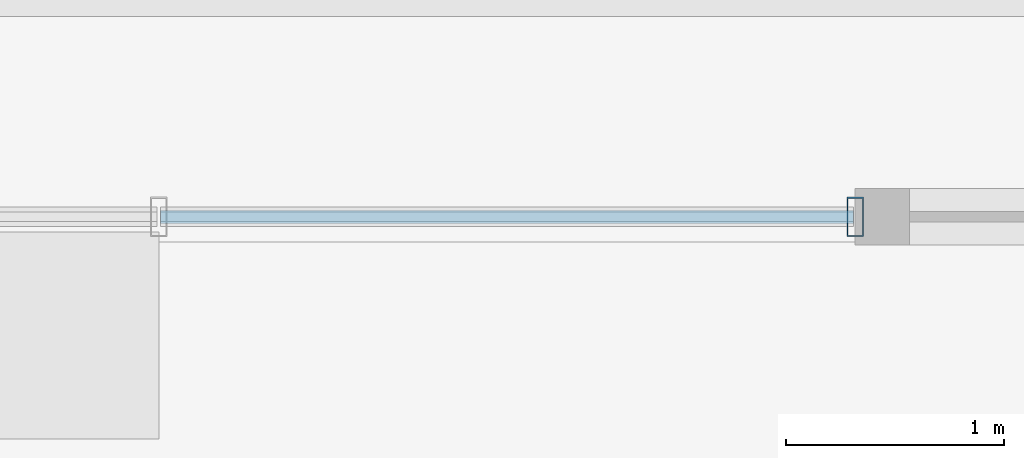
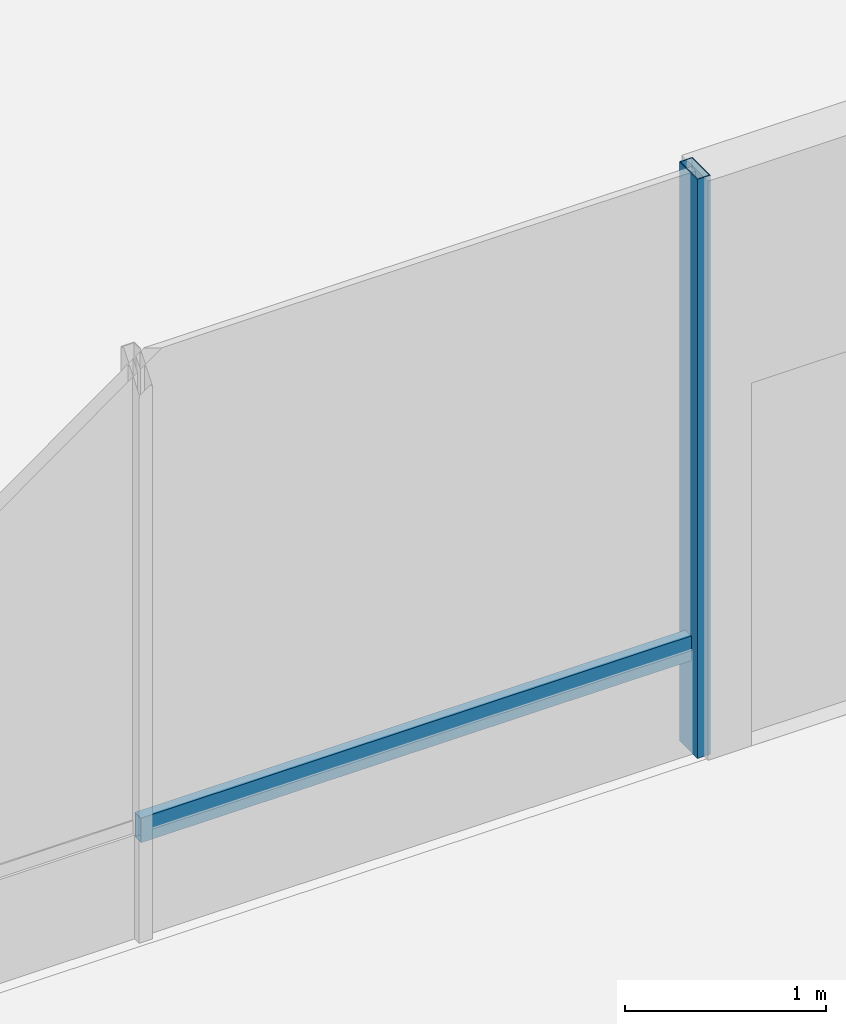
# One storey, part 4 of 20: 2 members, 1 element without a shape of its own.
"""IFC4 building model written with IfcOpenShell, lengths in metres."""

from ifc_helpers import new_model, si_unit, direction, frame, origin, origin_2d, place, context, subcontext, project, spatial, hollow_rectangle, extrude, material, layer, layer_set, material_profile, profile_set, type_object, element, aggregate, save


model = new_model("IFC4")

# Units and contexts
model_context = context("Model", 3, precision=1e-05, world=origin(), true_north=direction((0.0, 1.0)))
body_context = subcontext(model_context, "Body", "Model", "MODEL_VIEW")
ifc_project = project(units=[si_unit("LENGTHUNIT", "METRE"), si_unit("AREAUNIT", "SQUARE_METRE"), si_unit("VOLUMEUNIT", "CUBIC_METRE"), si_unit("PLANEANGLEUNIT", "RADIAN"), si_unit("MASSUNIT", "GRAM", prefix="KILO")], contexts=[model_context])

# Site, building, storey
site_placement = place(None, origin())
site = spatial("IfcSite", under=ifc_project, at=site_placement, CompositionType="ELEMENT")
building_placement = place(site_placement, origin())
building = spatial("IfcBuilding", under=site, at=building_placement, Name="Belovzor Exchange Tower", CompositionType="ELEMENT")
storey_placement = place(building_placement, frame((0.0, 0.0, 329.25)))
storey = spatial("IfcBuildingStorey", under=building, at=storey_placement, Name="L82", CompositionType="ELEMENT", Elevation=329.25)

# Curtain wall, members
ifc_material_1 = material(Name="Anodised Aluminium Framing", Category="aluminium")
ifc_layer = layer(ifc_material_1, 0.179931640625)
ifc_layer_set = layer_set([ifc_layer], Name="Anodised Aluminium Framing")
curtain_wall_type = type_object("IfcCurtainWallType", Name="Recessed Loggia Low-Iron Triple-Glazed Curtain Wall", PredefinedType="NOTDEFINED", material=ifc_layer_set)
curtain_wall_placement = place(storey_placement, origin())
curtain_wall = element("IfcCurtainWall", 1, at=curtain_wall_placement, inside=storey, type_object=curtain_wall_type, Name="CW3 Recessed Loggia Low-Iron Triple-Glazed Curtain Wall L82", PredefinedType="NOTDEFINED")
ifc_material_2 = material(Name="Steel S355", Category="steel")
ifc_material_profile_1 = material_profile(ifc_material_2, hollow_rectangle(XDim=0.074951171875, YDim=0.179931640625, WallThickness=0.0048828125, at=origin_2d()))
ifc_profile_set_1 = profile_set([ifc_material_profile_1], Name="Steel S355")
member_type_1 = type_object("IfcMemberType", Name="Thermally Broken Curtain Wall Mullion 180x75", PredefinedType="MULLION", material=ifc_profile_set_1)
member_1_placement = place(storey_placement, frame((33.60009765625, 6.1298828125, 0.0), z_axis=(0.0, 0.0, 1.0), x_axis=(-1.0, 0.0, 0.0)))
member_1 = element("IfcMember", 2, at=member_1_placement, type_object=member_type_1, Name="CW-M180 Curtain Wall Mullion 1", PredefinedType="MULLION", context=body_context, shape_type="SweptSolid", body=[
    extrude(hollow_rectangle(XDim=0.074951171875, YDim=0.179931640625, WallThickness=0.0048828125, at=origin_2d()), origin(), (0.0, 0.0, 1.0), 3.510009765625),
])
ifc_material_3 = material(Name="Steel S355", Category="steel")
ifc_material_profile_2 = material_profile(ifc_material_3, hollow_rectangle(XDim=0.06005859375, YDim=0.14990234375, WallThickness=0.00390625, at=origin_2d()))
ifc_profile_set_2 = profile_set([ifc_material_profile_2], Name="Steel S355")
member_type_2 = type_object("IfcMemberType", Name="Thermally Broken Curtain Wall Transom 150x60", PredefinedType="USERDEFINED", material=ifc_profile_set_2)
member_2_placement = place(storey_placement, frame((33.592041015625, 6.1298828125, 0.632080078125), z_axis=(-1.0, 0.0, 0.0), x_axis=(0.0, -1.0, 0.0)))
member_2 = element("IfcMember", 3, at=member_2_placement, type_object=member_type_2, Name="CW-T150 Curtain Wall Transom 1", ObjectType="TRANSOM", PredefinedType="USERDEFINED", context=body_context, shape_type="SweptSolid", body=[
    extrude(hollow_rectangle(XDim=0.06005859375, YDim=0.14990234375, WallThickness=0.00390625, at=origin_2d()), origin(), (0.0, 0.0, 1.0), 3.18408203125),
])
aggregate(curtain_wall, [member_1, member_2])

save(model, "model.ifc")
